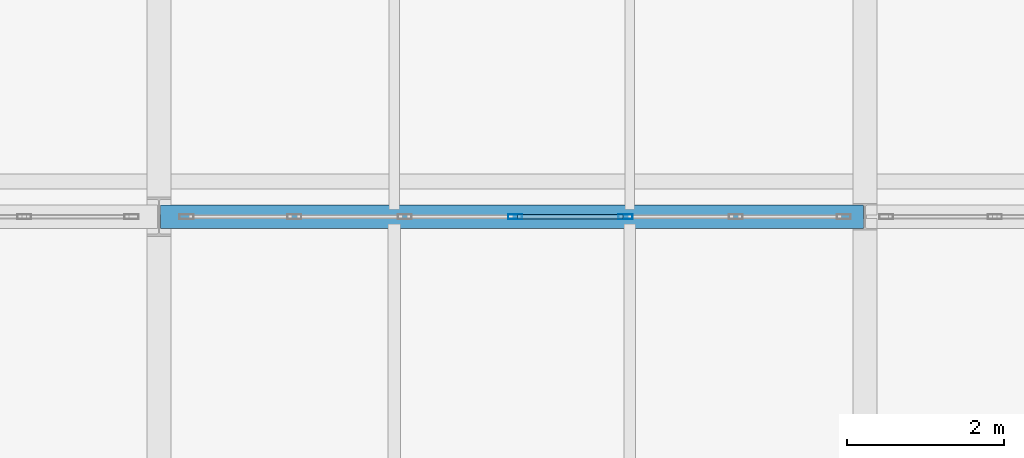
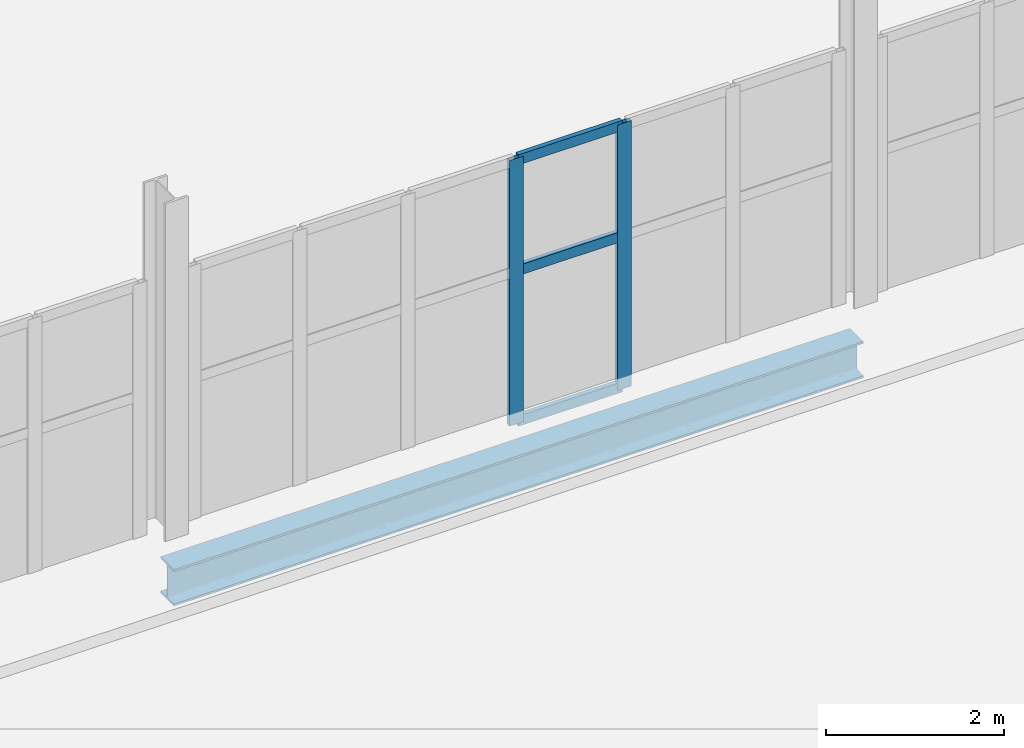
# One storey, part 35 of 196: 5 members, 1 beam, 1 element without a shape of its own.
"""IFC4 building model written with IfcOpenShell, lengths in metres."""

from ifc_helpers import new_model, si_unit, direction, frame, origin, origin_2d, place, context, subcontext, project, spatial, hollow_rectangle, i_section, extrude, material, layer, layer_set, material_profile, profile_set, type_object, element, aggregate, save


model = new_model("IFC4")

# Units and contexts
model_context = context("Model", 3, precision=1e-05, world=origin(), true_north=direction((0.0, 1.0)))
body_context = subcontext(model_context, "Body", "Model", "MODEL_VIEW")
ifc_project = project(units=[si_unit("LENGTHUNIT", "METRE"), si_unit("AREAUNIT", "SQUARE_METRE"), si_unit("VOLUMEUNIT", "CUBIC_METRE"), si_unit("PLANEANGLEUNIT", "RADIAN"), si_unit("MASSUNIT", "GRAM", prefix="KILO")], contexts=[model_context])

# Site, building, storey
site_placement = place(None, origin())
site = spatial("IfcSite", under=ifc_project, at=site_placement, CompositionType="ELEMENT")
building_placement = place(site_placement, origin())
building = spatial("IfcBuilding", under=site, at=building_placement, Name="Barlavento Convention Centre", CompositionType="ELEMENT")
storey_placement = place(building_placement, frame((0.0, 0.0, 18.0)))
storey = spatial("IfcBuildingStorey", under=building, at=storey_placement, Name="L03", CompositionType="ELEMENT", Elevation=18.0)

# Curtain wall, members
ifc_material_1 = material(Name="Powder-coated aluminium and Low-E glass", Category="aluminium")
ifc_layer = layer(ifc_material_1, 0.179931640625)
ifc_layer_set = layer_set([ifc_layer], Name="ARC-CW-CONF-L03")
curtain_wall_type = type_object("IfcCurtainWallType", Name="ARC-CW-CONF-L03", PredefinedType="NOTDEFINED", material=ifc_layer_set)
curtain_wall_placement = place(storey_placement, origin())
curtain_wall = element("IfcCurtainWall", 1, at=curtain_wall_placement, inside=storey, type_object=curtain_wall_type, Name="L03 unitised curtain wall CW08", PredefinedType="NOTDEFINED")
ifc_material_2 = material(Name="Powder-coated aluminium", Category="aluminium")
ifc_material_profile_1 = material_profile(ifc_material_2, hollow_rectangle(XDim=0.06005859375, YDim=0.179931640625, WallThickness=0.0048828125, at=origin_2d()), Name="AL-MULL 60x180x5")
ifc_profile_set_1 = profile_set([ifc_material_profile_1], Name="Powder-coated aluminium")
member_type_1 = type_object("IfcMemberType", Name="ARC-CWM-60X180", PredefinedType="MULLION", material=ifc_profile_set_1)
member_1_placement = place(storey_placement, frame((94.5400390625, 54.0, 0.0), z_axis=(0.0, 0.0, 1.0), x_axis=(0.0, 1.0, 0.0)))
member_1 = element("IfcMember", 2, at=member_1_placement, type_object=member_type_1, Name="CW08 mullion 4", PredefinedType="MULLION", context=body_context, shape_type="SweptSolid", body=[
    extrude(hollow_rectangle(XDim=0.06005859375, YDim=0.179931640625, WallThickness=0.0048828125, at=origin_2d()), origin(), (0.0, 0.0, 1.0), 3.64990234375),
])
member_2_placement = place(storey_placement, frame((95.94677734375, 54.0, 0.0), z_axis=(0.0, 0.0, 1.0), x_axis=(0.0, 1.0, 0.0)))
member_2 = element("IfcMember", 3, at=member_2_placement, type_object=member_type_1, Name="CW08 mullion 5", PredefinedType="MULLION", context=body_context, shape_type="SweptSolid", body=[
    extrude(hollow_rectangle(XDim=0.06005859375, YDim=0.179931640625, WallThickness=0.0048828125, at=origin_2d()), origin(), (0.0, 0.0, 1.0), 3.64990234375),
])
ifc_material_profile_2 = material_profile(ifc_material_2, hollow_rectangle(XDim=0.06005859375, YDim=0.139892578125, WallThickness=0.00390625, at=origin_2d()), Name="AL-TRAN 60x140x4")
ifc_profile_set_2 = profile_set([ifc_material_profile_2], Name="Powder-coated aluminium")
member_type_2 = type_object("IfcMemberType", Name="ARC-CWT-60X140", PredefinedType="USERDEFINED", material=ifc_profile_set_2)
member_3_placement = place(storey_placement, frame((94.570068359375, 54.0, 0.030029296875), z_axis=(1.0, 0.0, 0.0), x_axis=(0.0, 1.0, 0.0)))
member_3 = element("IfcMember", 4, at=member_3_placement, type_object=member_type_2, Name="CW08 transom 4.1", ObjectType="TRANSOM", PredefinedType="USERDEFINED", context=body_context, shape_type="SweptSolid", body=[
    extrude(hollow_rectangle(XDim=0.06005859375, YDim=0.139892578125, WallThickness=0.00390625, at=origin_2d()), origin(), (0.0, 0.0, 1.0), 1.3466796875),
])
member_4_placement = place(storey_placement, frame((94.570068359375, 54.0, 2.10009765625), z_axis=(1.0, 0.0, 0.0), x_axis=(0.0, 1.0, 0.0)))
member_4 = element("IfcMember", 5, at=member_4_placement, type_object=member_type_2, Name="CW08 transom 4.2", ObjectType="TRANSOM", PredefinedType="USERDEFINED", context=body_context, shape_type="SweptSolid", body=[
    extrude(hollow_rectangle(XDim=0.06005859375, YDim=0.139892578125, WallThickness=0.00390625, at=origin_2d()), origin(), (0.0, 0.0, 1.0), 1.3466796875),
])
member_5_placement = place(storey_placement, frame((94.570068359375, 54.0, 3.6201171875), z_axis=(1.0, 0.0, 0.0), x_axis=(0.0, 1.0, 0.0)))
member_5 = element("IfcMember", 6, at=member_5_placement, type_object=member_type_2, Name="CW08 transom 4.3", ObjectType="TRANSOM", PredefinedType="USERDEFINED", context=body_context, shape_type="SweptSolid", body=[
    extrude(hollow_rectangle(XDim=0.06005859375, YDim=0.139892578125, WallThickness=0.00390625, at=origin_2d()), origin(), (0.0, 0.0, 1.0), 1.3466796875),
])
aggregate(curtain_wall, [member_1, member_2, member_3, member_4, member_5])

# Beam
ifc_material_3 = material(Name="Steel S355", Category="steel")
ifc_material_profile_3 = material_profile(ifc_material_3, i_section(OverallWidth=0.300048828125, OverallDepth=0.5, WebThickness=0.014404296875, FlangeThickness=0.028076171875, FilletRadius=0.027099609375, at=origin_2d()), Name="HEB 500")
ifc_profile_set_3 = profile_set([ifc_material_profile_3], Name="Steel S355")
beam_type = type_object("IfcBeamType", Name="STR-BM-PRI-HEB500", PredefinedType="BEAM", material=ifc_profile_set_3)
beam_placement = place(storey_placement, frame((90.02001953125, 54.0, -0.594970703125), z_axis=(1.0, 0.0, 0.0), x_axis=(0.0, 1.0, 0.0)))
element("IfcBeam", 7, at=beam_placement, inside=storey, type_object=beam_type, Name="L03 primary girder BG09", PredefinedType="BEAM", context=body_context, shape_type="SweptSolid", body=[
    extrude(i_section(OverallWidth=0.300048828125, OverallDepth=0.5, WebThickness=0.014404296875, FlangeThickness=0.028076171875, FilletRadius=0.027099609375, at=origin_2d()), origin(), (0.0, 0.0, 1.0), 8.9599609375),
])

save(model, "model.ifc")
